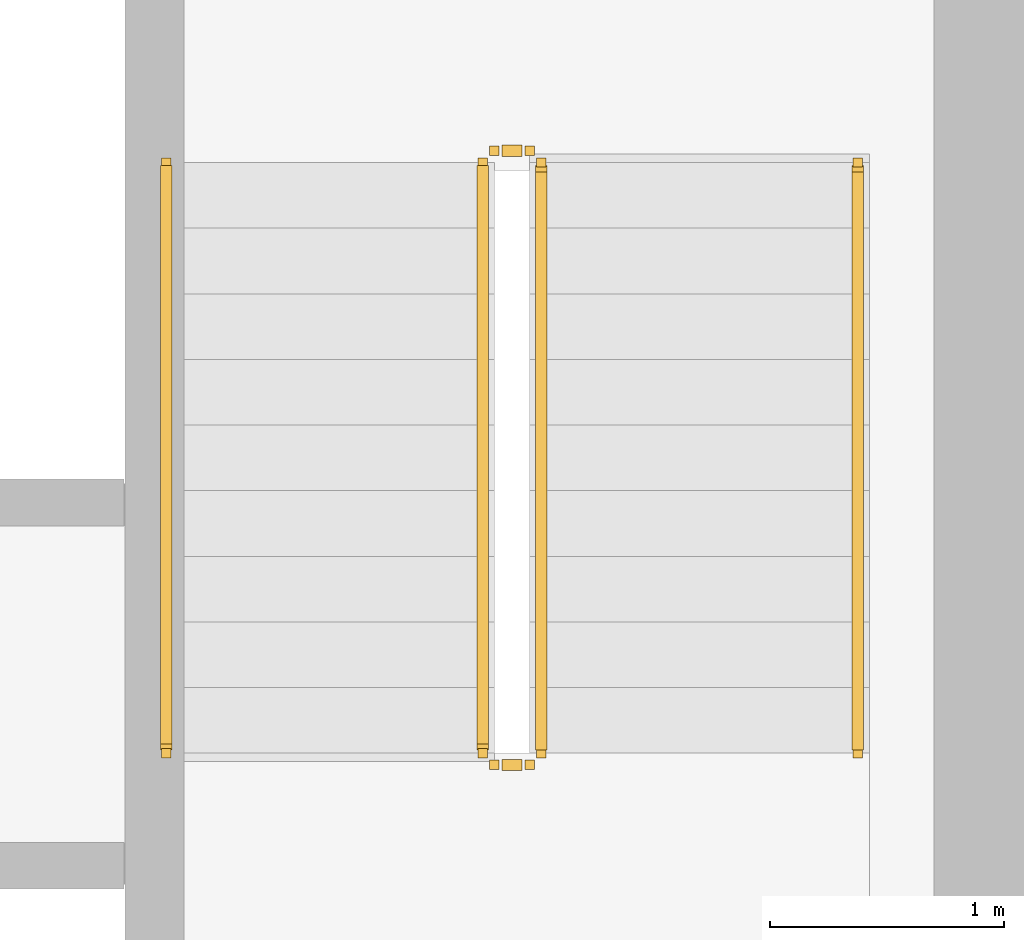
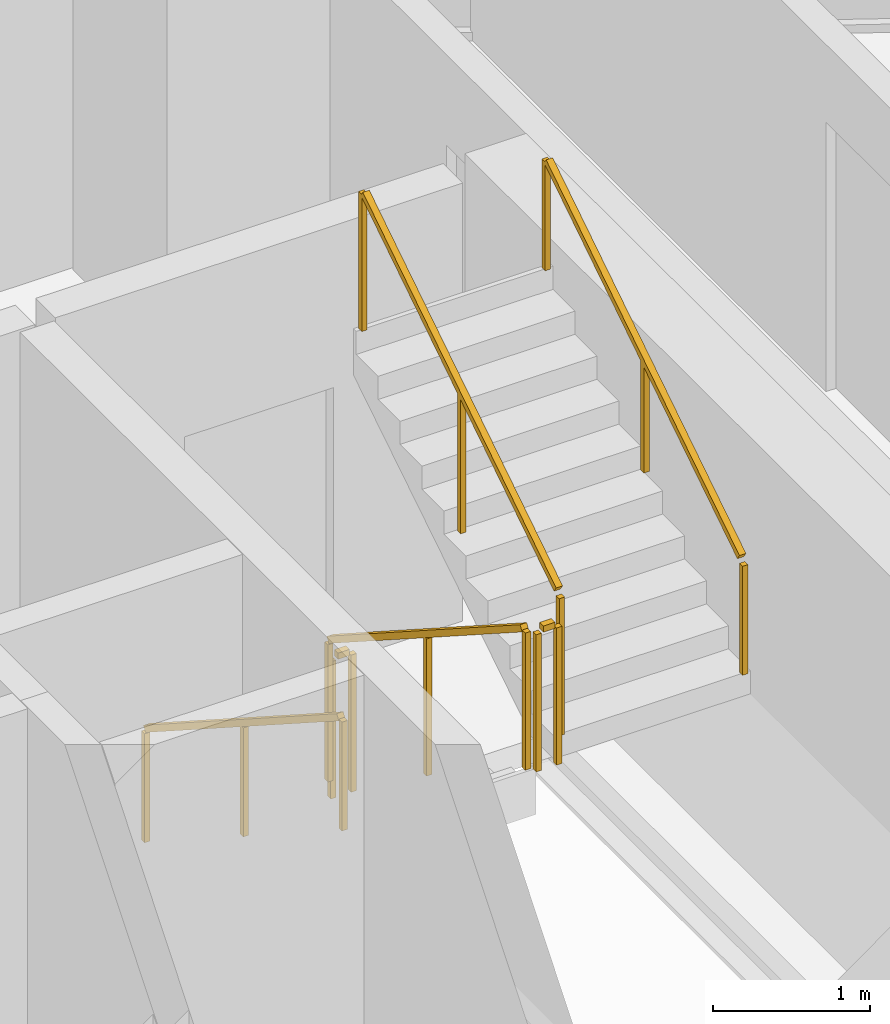
# One storey, part 20 of 21: 6 railings.
"""IFC4 building model written with IfcOpenShell, lengths in metres."""

from ifc_helpers import new_model, si_unit, direction, frame, origin, origin_2d, place, context, subcontext, project, spatial, rectangle, extrude, material, type_object, element, save


model = new_model("IFC4")

# Units and contexts
model_context = context("Model", 3, precision=1e-05, world=origin(), true_north=direction((0.0, 1.0)))
body_context = subcontext(model_context, "Body", "Model", "MODEL_VIEW")
ifc_project = project(units=[si_unit("LENGTHUNIT", "METRE"), si_unit("AREAUNIT", "SQUARE_METRE"), si_unit("VOLUMEUNIT", "CUBIC_METRE"), si_unit("PLANEANGLEUNIT", "RADIAN"), si_unit("MASSUNIT", "GRAM", prefix="KILO")], contexts=[model_context])

# Site, building, storey
site_placement = place(None, origin())
site = spatial("IfcSite", under=ifc_project, at=site_placement, CompositionType="ELEMENT")
building_placement = place(site_placement, origin())
building = spatial("IfcBuilding", under=site, at=building_placement, Name="Tharavind Bronze Gate", CompositionType="ELEMENT")
storey_placement = place(building_placement, frame((0.0, 0.0, 142.39990234375)))
storey = spatial("IfcBuildingStorey", under=building, at=storey_placement, Name="L36", CompositionType="ELEMENT", Elevation=142.39990234375)

# Railings
ifc_material = material(Name="Brushed Bronze Alloy", Category="metal")
railing_type_1 = type_object("IfcRailingType", Name="STAIR BRONZE HANDRAIL 900", PredefinedType="HANDRAIL", material=ifc_material)
railing_1_placement = place(storey_placement, frame((5.39990234375, 2.25, 0.18017578125)))
element("IfcRailing", 1, at=railing_1_placement, inside=storey, type_object=railing_type_1, Name="L36 ST2 stair handrail 1", PredefinedType="HANDRAIL", context=body_context, shape_type="SweptSolid", body=[
    extrude(rectangle(XDim=0.048095703125, YDim=0.048095703125, at=origin_2d()), frame((0.0, -0.02685546875, 0.89306640625), z_axis=(0.0, -0.841199657755, 0.540724639528), x_axis=(1.0, 0.0, 0.0)), (0.0, 0.0, 1.0), 2.931640625),
    extrude(rectangle(XDim=0.0400390625, YDim=0.0400390625, at=origin_2d()), origin(), (0.0, 0.0, 1.0), 0.847900390625),
    extrude(rectangle(XDim=0.0400390625, YDim=0.0400390625, at=origin_2d()), frame((0.0, -1.260009765625, 0.81005859375)), (0.0, 0.0, 1.0), 0.847900390625),
    extrude(rectangle(XDim=0.0400390625, YDim=0.0400390625, at=origin_2d()), frame((0.0, -2.52001953125, 1.619873046875)), (0.0, 0.0, 1.0), 0.847900390625),
])
railing_2_placement = place(storey_placement, frame((8.35009765625, -0.27001953125, 1.97998046875)))
element("IfcRailing", 2, at=railing_2_placement, inside=storey, type_object=railing_type_1, Name="L36 ST2 stair handrail 2", PredefinedType="HANDRAIL", context=body_context, shape_type="SweptSolid", body=[
    extrude(rectangle(XDim=0.048095703125, YDim=0.048095703125, at=origin_2d()), frame((0.0, 0.02685546875, 0.89306640625), z_axis=(0.0, 0.841162588446, 0.540782303519), x_axis=(-1.0, 0.0, 0.0)), (0.0, 0.0, 1.0), 2.931884765625),
    extrude(rectangle(XDim=0.0400390625, YDim=0.0400390625, at=origin_2d()), origin(), (0.0, 0.0, 1.0), 0.847900390625),
    extrude(rectangle(XDim=0.0400390625, YDim=0.0400390625, at=origin_2d()), frame((0.0, 1.260009765625, 0.81005859375)), (0.0, 0.0, 1.0), 0.847900390625),
    extrude(rectangle(XDim=0.0400390625, YDim=0.0400390625, at=origin_2d()), frame((0.0, 2.52001953125, 1.6201171875)), (0.0, 0.0, 1.0), 0.847900390625),
])
railing_type_2 = type_object("IfcRailingType", Name="STAIR WELL GUARD RAILING 1120", PredefinedType="GUARDRAIL", material=ifc_material)
railing_3_placement = place(storey_placement, frame((6.75, 2.25, 0.18017578125)))
element("IfcRailing", 3, at=railing_3_placement, inside=storey, type_object=railing_type_2, Name="L36 ST2 stair guard 1", PredefinedType="GUARDRAIL", context=body_context, shape_type="SweptSolid", body=[
    extrude(rectangle(XDim=0.048095703125, YDim=0.048095703125, at=origin_2d()), frame((0.0, -0.02685546875, 1.11328125), z_axis=(0.0, -0.841199657755, 0.540724639528), x_axis=(1.0, 0.0, 0.0)), (0.0, 0.0, 1.0), 2.931640625),
    extrude(rectangle(XDim=0.0400390625, YDim=0.0400390625, at=origin_2d()), origin(), (0.0, 0.0, 1.0), 1.068115234375),
    extrude(rectangle(XDim=0.0400390625, YDim=0.0400390625, at=origin_2d()), frame((0.0, -1.260009765625, 0.81005859375)), (0.0, 0.0, 1.0), 1.068115234375),
    extrude(rectangle(XDim=0.0400390625, YDim=0.0400390625, at=origin_2d()), frame((0.0, -2.52001953125, 1.619873046875)), (0.0, 0.0, 1.0), 1.068115234375),
])
railing_4_placement = place(storey_placement, frame((6.800048828125, -0.320068359375, 1.800048828125)))
element("IfcRailing", 4, at=railing_4_placement, inside=storey, type_object=railing_type_2, Name="L36 ST2 stair guard 2", PredefinedType="GUARDRAIL", context=body_context, shape_type="SweptSolid", body=[
    extrude(rectangle(XDim=0.048095703125, YDim=0.048095703125, at=origin_2d()), frame((0.031982421875, 0.0, 1.09619140625), z_axis=(1.0, 0.0, 0.0), x_axis=(0.0, 1.0, 0.0)), (0.0, 0.0, 1.0), 0.0859375),
    extrude(rectangle(XDim=0.0400390625, YDim=0.0400390625, at=origin_2d()), origin(), (0.0, 0.0, 1.0), 1.068115234375),
    extrude(rectangle(XDim=0.0400390625, YDim=0.0400390625, at=origin_2d()), frame((0.14990234375, 0.0, 0.0)), (0.0, 0.0, 1.0), 1.068115234375),
])
railing_5_placement = place(storey_placement, frame((7.0, -0.27001953125, 1.97998046875)))
element("IfcRailing", 5, at=railing_5_placement, inside=storey, type_object=railing_type_2, Name="L36 ST2 stair guard 3", PredefinedType="GUARDRAIL", context=body_context, shape_type="SweptSolid", body=[
    extrude(rectangle(XDim=0.048095703125, YDim=0.048095703125, at=origin_2d()), frame((0.0, 0.02685546875, 1.11328125), z_axis=(0.0, 0.841162588446, 0.540782303519), x_axis=(-1.0, 0.0, 0.0)), (0.0, 0.0, 1.0), 2.931884765625),
    extrude(rectangle(XDim=0.0400390625, YDim=0.0400390625, at=origin_2d()), origin(), (0.0, 0.0, 1.0), 1.068115234375),
    extrude(rectangle(XDim=0.0400390625, YDim=0.0400390625, at=origin_2d()), frame((0.0, 1.260009765625, 0.81005859375)), (0.0, 0.0, 1.0), 1.068115234375),
    extrude(rectangle(XDim=0.0400390625, YDim=0.0400390625, at=origin_2d()), frame((0.0, 2.52001953125, 1.6201171875)), (0.0, 0.0, 1.0), 1.068115234375),
])
railing_6_placement = place(storey_placement, frame((6.800048828125, 2.300048828125, 0.0)))
element("IfcRailing", 6, at=railing_6_placement, inside=storey, type_object=railing_type_2, Name="L36 ST2 stair guard 4", PredefinedType="GUARDRAIL", context=body_context, shape_type="SweptSolid", body=[
    extrude(rectangle(XDim=0.048095703125, YDim=0.048095703125, at=origin_2d()), frame((0.031982421875, 0.0, 1.09619140625), z_axis=(1.0, 0.0, 0.0), x_axis=(0.0, 1.0, 0.0)), (0.0, 0.0, 1.0), 0.0859375),
    extrude(rectangle(XDim=0.0400390625, YDim=0.0400390625, at=origin_2d()), origin(), (0.0, 0.0, 1.0), 1.068115234375),
    extrude(rectangle(XDim=0.0400390625, YDim=0.0400390625, at=origin_2d()), frame((0.14990234375, 0.0, 0.0)), (0.0, 0.0, 1.0), 1.068115234375),
])

save(model, "model.ifc")
